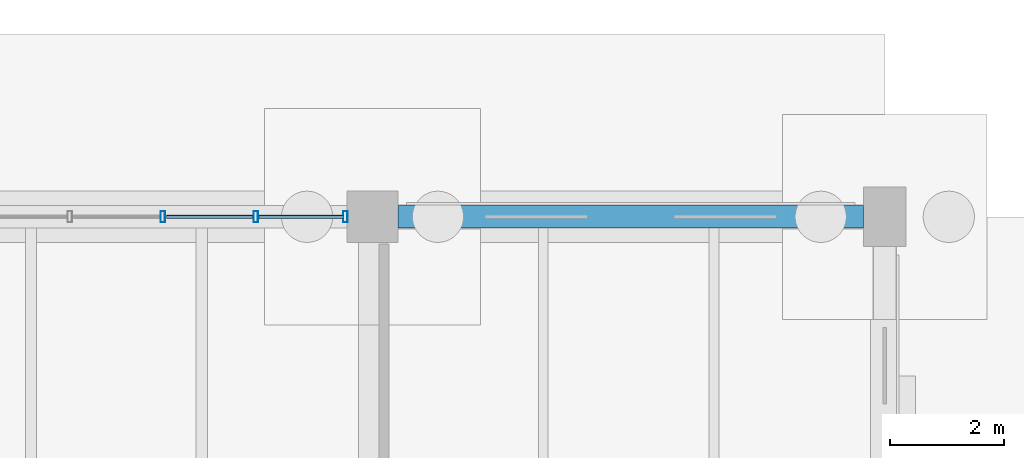
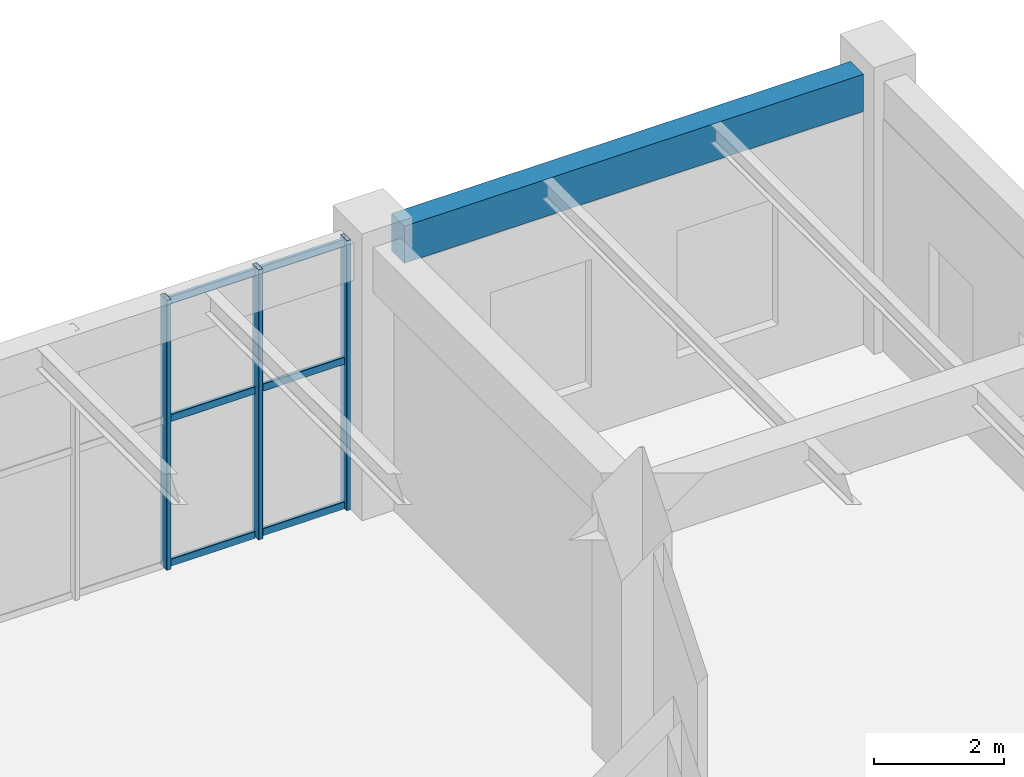
# One storey, part 81 of 121: 9 members, 1 beam, 1 element without a shape of its own.
"""IFC4 building model written with IfcOpenShell, lengths in metres."""

from ifc_helpers import new_model, si_unit, derived_unit, direction, frame, origin, origin_2d, place, context, subcontext, project, spatial, rectangle, hollow_rectangle, extrude, material, material_profile, profile_set, type_object, element, aggregate, save


model = new_model("IFC4")

# Units and contexts
model_context = context("Model", 3, precision=1e-05, world=origin(), true_north=direction((0.0, 1.0)))
body_context = subcontext(model_context, "Body", "Model", "MODEL_VIEW")
ifc_project = project(units=[si_unit("LENGTHUNIT", "METRE"), si_unit("AREAUNIT", "SQUARE_METRE"), si_unit("VOLUMEUNIT", "CUBIC_METRE"), si_unit("PLANEANGLEUNIT", "RADIAN"), si_unit("MASSUNIT", "GRAM", prefix="KILO"), derived_unit("THERMALTRANSMITTANCEUNIT", [(si_unit("MASSUNIT", "GRAM", prefix="KILO"), 1), (si_unit("TIMEUNIT", "SECOND"), -3), (si_unit("THERMODYNAMICTEMPERATUREUNIT", "KELVIN"), -1)])], contexts=[model_context])

# Site, building, storey
site_placement = place(None, origin())
site = spatial("IfcSite", under=ifc_project, at=site_placement, CompositionType="ELEMENT")
building_placement = place(site_placement, origin())
building = spatial("IfcBuilding", under=site, at=building_placement, Name="Zhenchuan Archway Interchange", CompositionType="ELEMENT")
storey_placement = place(building_placement, origin())
storey = spatial("IfcBuildingStorey", under=building, at=storey_placement, Name="L00", CompositionType="ELEMENT", Elevation=0.0)

# Curtain wall, members
ifc_material_1 = material(Name="Anodised Aluminium", Category="aluminium")
curtain_wall_type = type_object("IfcCurtainWallType", Name="CW_UNIT_2", PredefinedType="NOTDEFINED", material=ifc_material_1)
curtain_wall_placement = place(storey_placement, origin())
curtain_wall = element("IfcCurtainWall", 1, at=curtain_wall_placement, inside=storey, type_object=curtain_wall_type, Name="Unitised curtain wall CW:L00:013", PredefinedType="NOTDEFINED")
ifc_material_profile_1 = material_profile(ifc_material_1, hollow_rectangle(XDim=0.080078125, YDim=0.199951171875, WallThickness=0.00439453125, InnerFilletRadius=0.00439453125, OuterFilletRadius=0.009033203125, at=origin_2d()), Name="ALU 200x80x4.5")
ifc_profile_set_1 = profile_set([ifc_material_profile_1], Name="Anodised Aluminium")
member_type_1 = type_object("IfcMemberType", Name="CW_MUL_200", PredefinedType="MULLION", material=ifc_profile_set_1)
member_1_placement = place(storey_placement, frame((158.31640625, 104.0, 0.0), z_axis=(0.0, 0.0, 1.0), x_axis=(1.0, 0.0, 0.0)))
member_1 = element("IfcMember", 2, at=member_1_placement, type_object=member_type_1, Name="CW:L00:013 mullion 3", PredefinedType="MULLION", context=body_context, shape_type="SweptSolid", body=[
    extrude(hollow_rectangle(XDim=0.080078125, YDim=0.199951171875, WallThickness=0.00439453125, InnerFilletRadius=0.00439453125, OuterFilletRadius=0.009033203125, at=origin_2d()), origin(), (0.0, 0.0, 1.0), 5.080078125),
])
member_2_placement = place(storey_placement, frame((159.94921875, 104.0, 0.0), z_axis=(0.0, 0.0, 1.0), x_axis=(1.0, 0.0, 0.0)))
member_2 = element("IfcMember", 3, at=member_2_placement, type_object=member_type_1, Name="CW:L00:013 mullion 4", PredefinedType="MULLION", context=body_context, shape_type="SweptSolid", body=[
    extrude(hollow_rectangle(XDim=0.080078125, YDim=0.199951171875, WallThickness=0.00439453125, InnerFilletRadius=0.00439453125, OuterFilletRadius=0.009033203125, at=origin_2d()), origin(), (0.0, 0.0, 1.0), 5.080078125),
])
member_3_placement = place(storey_placement, frame((161.52197265625, 104.0, 0.0), z_axis=(0.0, 0.0, 1.0), x_axis=(1.0, 0.0, 0.0)))
member_3 = element("IfcMember", 4, at=member_3_placement, type_object=member_type_1, Name="CW:L00:013 mullion 5", PredefinedType="MULLION", context=body_context, shape_type="SweptSolid", body=[
    extrude(hollow_rectangle(XDim=0.080078125, YDim=0.199951171875, WallThickness=0.00439453125, InnerFilletRadius=0.00439453125, OuterFilletRadius=0.009033203125, at=origin_2d()), origin(), (0.0, 0.0, 1.0), 5.080078125),
])
ifc_material_profile_2 = material_profile(ifc_material_1, hollow_rectangle(XDim=0.06005859375, YDim=0.139892578125, WallThickness=0.00341796875, InnerFilletRadius=0.00341796875, OuterFilletRadius=0.007080078125, at=origin_2d()), Name="ALU 140x60x3.5")
ifc_profile_set_2 = profile_set([ifc_material_profile_2], Name="Anodised Aluminium")
member_type_2 = type_object("IfcMemberType", Name="CW_TRN_140", PredefinedType="USERDEFINED", material=ifc_profile_set_2)
member_4_placement = place(storey_placement, frame((158.37646484375, 104.0, 0.06005859375), z_axis=(1.0, 0.0, 0.0), x_axis=(0.0, 1.0, 0.0)))
member_4 = element("IfcMember", 5, at=member_4_placement, type_object=member_type_2, Name="CW:L00:013 transom 3-1", ObjectType="TRANSOM", PredefinedType="USERDEFINED", context=body_context, shape_type="SweptSolid", body=[
    extrude(hollow_rectangle(XDim=0.06005859375, YDim=0.139892578125, WallThickness=0.00341796875, InnerFilletRadius=0.00341796875, OuterFilletRadius=0.007080078125, at=origin_2d()), origin(), (0.0, 0.0, 1.0), 1.5126953125),
])
member_5_placement = place(storey_placement, frame((158.37646484375, 104.0, 2.782958984375), z_axis=(1.0, 0.0, 0.0), x_axis=(0.0, 1.0, 0.0)))
member_5 = element("IfcMember", 6, at=member_5_placement, type_object=member_type_2, Name="CW:L00:013 transom 3-2", ObjectType="TRANSOM", PredefinedType="USERDEFINED", context=body_context, shape_type="SweptSolid", body=[
    extrude(hollow_rectangle(XDim=0.06005859375, YDim=0.139892578125, WallThickness=0.00341796875, InnerFilletRadius=0.00341796875, OuterFilletRadius=0.007080078125, at=origin_2d()), origin(), (0.0, 0.0, 1.0), 1.5126953125),
])
member_6_placement = place(storey_placement, frame((158.37646484375, 104.0, 5.0), z_axis=(1.0, 0.0, 0.0), x_axis=(0.0, 1.0, 0.0)))
member_6 = element("IfcMember", 7, at=member_6_placement, type_object=member_type_2, Name="CW:L00:013 transom 3-3", ObjectType="TRANSOM", PredefinedType="USERDEFINED", context=body_context, shape_type="SweptSolid", body=[
    extrude(hollow_rectangle(XDim=0.06005859375, YDim=0.139892578125, WallThickness=0.00341796875, InnerFilletRadius=0.00341796875, OuterFilletRadius=0.007080078125, at=origin_2d()), origin(), (0.0, 0.0, 1.0), 1.5126953125),
])
member_7_placement = place(storey_placement, frame((160.00927734375, 104.0, 0.06005859375), z_axis=(1.0, 0.0, 0.0), x_axis=(0.0, 1.0, 0.0)))
member_7 = element("IfcMember", 8, at=member_7_placement, type_object=member_type_2, Name="CW:L00:013 transom 4-1", ObjectType="TRANSOM", PredefinedType="USERDEFINED", context=body_context, shape_type="SweptSolid", body=[
    extrude(hollow_rectangle(XDim=0.06005859375, YDim=0.139892578125, WallThickness=0.00341796875, InnerFilletRadius=0.00341796875, OuterFilletRadius=0.007080078125, at=origin_2d()), origin(), (0.0, 0.0, 1.0), 1.49267578125),
])
member_8_placement = place(storey_placement, frame((160.00927734375, 104.0, 2.782958984375), z_axis=(1.0, 0.0, 0.0), x_axis=(0.0, 1.0, 0.0)))
member_8 = element("IfcMember", 9, at=member_8_placement, type_object=member_type_2, Name="CW:L00:013 transom 4-2", ObjectType="TRANSOM", PredefinedType="USERDEFINED", context=body_context, shape_type="SweptSolid", body=[
    extrude(hollow_rectangle(XDim=0.06005859375, YDim=0.139892578125, WallThickness=0.00341796875, InnerFilletRadius=0.00341796875, OuterFilletRadius=0.007080078125, at=origin_2d()), origin(), (0.0, 0.0, 1.0), 1.49267578125),
])
member_9_placement = place(storey_placement, frame((160.00927734375, 104.0, 5.0), z_axis=(1.0, 0.0, 0.0), x_axis=(0.0, 1.0, 0.0)))
member_9 = element("IfcMember", 10, at=member_9_placement, type_object=member_type_2, Name="CW:L00:013 transom 4-3", ObjectType="TRANSOM", PredefinedType="USERDEFINED", context=body_context, shape_type="SweptSolid", body=[
    extrude(hollow_rectangle(XDim=0.06005859375, YDim=0.139892578125, WallThickness=0.00341796875, InnerFilletRadius=0.00341796875, OuterFilletRadius=0.007080078125, at=origin_2d()), origin(), (0.0, 0.0, 1.0), 1.49267578125),
])
aggregate(curtain_wall, [member_1, member_2, member_3, member_4, member_5, member_6, member_7, member_8, member_9])

# Beam
ifc_material_2 = material(Name="Concrete C40", Category="concrete")
ifc_material_profile_3 = material_profile(ifc_material_2, rectangle(XDim=0.39990234375, YDim=0.699951171875, at=origin_2d()), Name="RC 400x700")
ifc_profile_set_3 = profile_set([ifc_material_profile_3], Name="Concrete C40")
beam_type = type_object("IfcBeamType", Name="SP_RC_400x700", PredefinedType="SPANDREL", material=ifc_profile_set_3)
beam_placement = place(storey_placement, frame((162.449951171875, 104.0, 4.72998046875), z_axis=(1.0, 0.0, 0.0), x_axis=(0.0, 1.0, 0.0)))
element("IfcBeam", 11, at=beam_placement, inside=storey, type_object=beam_type, Name="Beam O:19-20 (L00)", PredefinedType="SPANDREL", context=body_context, shape_type="SweptSolid", body=[
    extrude(rectangle(XDim=0.39990234375, YDim=0.699951171875, at=origin_2d()), origin(), (0.0, 0.0, 1.0), 8.175048828125),
])

save(model, "model.ifc")
